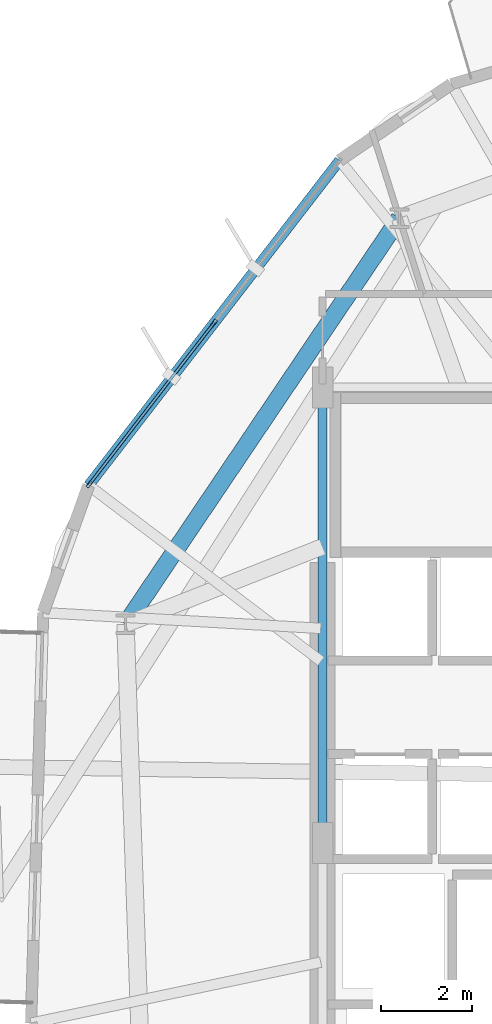
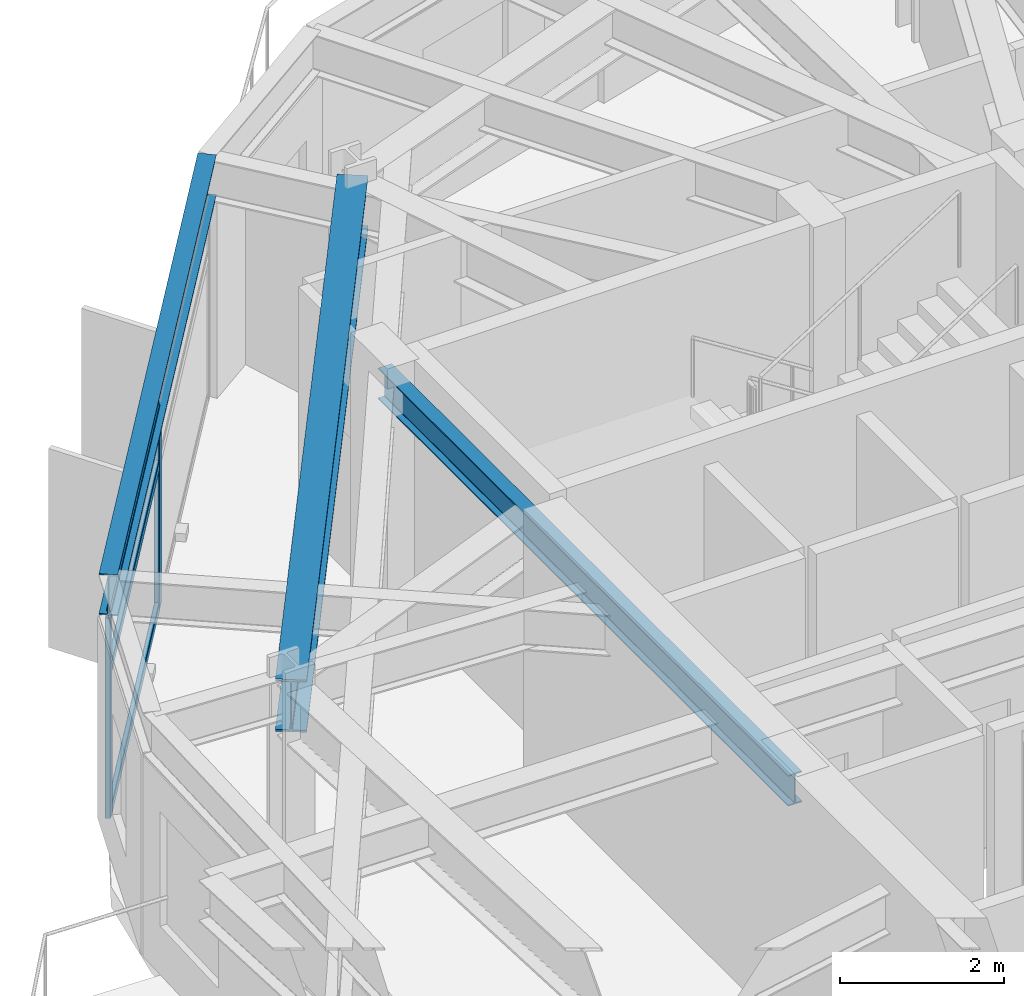
# One storey, part 6 of 24: 5 members, 3 beams, 1 element without a shape of its own.
"""IFC4 building model written with IfcOpenShell, lengths in metres."""

from ifc_helpers import new_model, si_unit, direction, frame, origin, origin_2d, place, context, subcontext, project, spatial, hollow_rectangle, i_section, extrude, material, layer, layer_set, material_profile, profile_set, type_object, element, aggregate, save


model = new_model("IFC4")

# Units and contexts
model_context = context("Model", 3, precision=1e-05, world=origin(), true_north=direction((0.0, 1.0)))
body_context = subcontext(model_context, "Body", "Model", "MODEL_VIEW")
ifc_project = project(units=[si_unit("LENGTHUNIT", "METRE"), si_unit("AREAUNIT", "SQUARE_METRE"), si_unit("VOLUMEUNIT", "CUBIC_METRE"), si_unit("PLANEANGLEUNIT", "RADIAN"), si_unit("MASSUNIT", "GRAM", prefix="KILO")], contexts=[model_context])

# Site, building, storey
site_placement = place(None, origin())
site = spatial("IfcSite", under=ifc_project, at=site_placement, CompositionType="ELEMENT")
building_placement = place(site_placement, origin())
building = spatial("IfcBuilding", under=site, at=building_placement, Name="Soratama Intermodal Tower", CompositionType="ELEMENT")
storey_placement = place(building_placement, frame((0.0, 0.0, 91.300048828125)))
storey = spatial("IfcBuildingStorey", under=building, at=storey_placement, Name="L21", CompositionType="ELEMENT", Elevation=91.300048828125)

# Beams
ifc_material_1 = material(Name="Structural steel ASTM A992 Grade 50", Category="steel")
ifc_material_profile_1 = material_profile(ifc_material_1, i_section(OverallWidth=0.19091796875, OverallDepth=0.4599609375, WebThickness=0.010009765625, FlangeThickness=0.01611328125, FilletRadius=0.010986328125, at=origin_2d()), Name="W18X55")
ifc_profile_set_1 = profile_set([ifc_material_profile_1], Name="Structural steel ASTM A992 Grade 50")
beam_type_1 = type_object("IfcBeamType", Name="BM-FLR-W18X55", PredefinedType="BEAM", material=ifc_profile_set_1)
beam_1_placement = place(storey_placement, frame((32.60009765625, 35.0, 3.369873046875), z_axis=(0.0, -1.0, 0.0), x_axis=(1.0, 0.0, 0.0)))
element("IfcBeam", 1, at=beam_1_placement, inside=storey, type_object=beam_type_1, Name="BM-L21-CRING-08", PredefinedType="BEAM", context=body_context, shape_type="SweptSolid", body=[
    extrude(i_section(OverallWidth=0.19091796875, OverallDepth=0.4599609375, WebThickness=0.010009765625, FlangeThickness=0.01611328125, FilletRadius=0.010986328125, at=origin_2d()), origin(), (0.0, 0.0, 1.0), 10.0),
])
ifc_material_2 = material(Name="Structural steel ASTM A992 Grade 50", Category="steel")
ifc_material_profile_2 = material_profile(ifc_material_2, i_section(OverallWidth=0.382080078125, OverallDepth=0.779052734375, WebThickness=0.01806640625, FlangeThickness=0.030029296875, FilletRadius=0.01806640625, at=origin_2d()), Name="W30X191")
ifc_profile_set_2 = profile_set([ifc_material_profile_2], Name="Structural steel ASTM A992 Grade 50")
beam_type_2 = type_object("IfcBeamType", Name="BM-RING-W30X191", PredefinedType="BEAM", material=ifc_profile_set_2)
beam_2_placement = place(storey_placement, frame((34.2880859375, 38.7109375, 3.21044921875), z_axis=(-0.559249807749, -0.828999187293, 0.0), x_axis=(0.828999187293, -0.559249807749, 0.0)))
element("IfcBeam", 2, at=beam_2_placement, inside=storey, type_object=beam_type_2, Name="BM-L21-RING-04", PredefinedType="BEAM", context=body_context, shape_type="SweptSolid", body=[
    extrude(i_section(OverallWidth=0.382080078125, OverallDepth=0.779052734375, WebThickness=0.01806640625, FlangeThickness=0.030029296875, FilletRadius=0.01806640625, at=origin_2d()), origin(), (0.0, 0.0, 1.0), 10.75390625),
])
ifc_material_3 = material(Name="Structural steel ASTM A992 Grade 50", Category="steel")
ifc_material_profile_3 = material_profile(ifc_material_3, i_section(OverallWidth=0.22900390625, OverallDepth=0.612060546875, WebThickness=0.011962890625, FlangeThickness=0.01953125, FilletRadius=0.012939453125, at=origin_2d()), Name="W24X84")
ifc_profile_set_3 = profile_set([ifc_material_profile_3], Name="Structural steel ASTM A992 Grade 50")
beam_type_3 = type_object("IfcBeamType", Name="BM-SPN-W24X84", PredefinedType="SPANDREL", material=ifc_profile_set_3)
beam_3_placement = place(storey_placement, frame((32.97509765625, 39.98291015625, 3.2939453125), z_axis=(-0.611226301273, -0.791455879144, 0.0), x_axis=(0.791455879144, -0.611226301273, 0.0)))
element("IfcBeam", 3, at=beam_3_placement, inside=storey, type_object=beam_type_3, Name="BS-L21-F04", PredefinedType="SPANDREL", context=body_context, shape_type="SweptSolid", body=[
    extrude(i_section(OverallWidth=0.22900390625, OverallDepth=0.612060546875, WebThickness=0.011962890625, FlangeThickness=0.01953125, FilletRadius=0.012939453125, at=origin_2d()), origin(), (0.0, 0.0, 1.0), 9.016357421875),
])

# Curtain wall, members
ifc_material_4 = material(Name="Double-glazed aluminium curtain wall", Category="aluminium")
ifc_layer = layer(ifc_material_4, 0.159912109375)
ifc_layer_set = layer_set([ifc_layer], Name="Double-glazed aluminium curtain wall")
curtain_wall_type = type_object("IfcCurtainWallType", Name="CW-SYS-3", PredefinedType="NOTDEFINED", material=ifc_layer_set)
curtain_wall_placement = place(storey_placement, origin())
curtain_wall = element("IfcCurtainWall", 4, at=curtain_wall_placement, inside=storey, type_object=curtain_wall_type, Name="L21 Faceted Curtain Wall F04", PredefinedType="NOTDEFINED")
ifc_material_5 = material(Name="Anodised aluminium AA 6063-T6", Category="aluminium")
ifc_material_profile_4 = material_profile(ifc_material_5, hollow_rectangle(XDim=0.070068359375, YDim=0.159912109375, WallThickness=0.0048828125, InnerFilletRadius=0.0048828125, OuterFilletRadius=0.010009765625, at=origin_2d()), Name="CWM160X70X5")
ifc_profile_set_4 = profile_set([ifc_material_profile_4], Name="Anodised aluminium AA 6063-T6")
member_type_1 = type_object("IfcMemberType", Name="MT-CWM-3", PredefinedType="MULLION", material=ifc_profile_set_4)
member_1_placement = place(storey_placement, frame((30.219482421875, 36.415283203125, 0.0), z_axis=(0.0, 0.0, 1.0), x_axis=(0.79143717295, -0.611250522513, 0.0)))
member_1 = element("IfcMember", 5, at=member_1_placement, type_object=member_type_1, Name="CW-3 mullion 2", PredefinedType="MULLION", context=body_context, shape_type="SweptSolid", body=[
    extrude(hollow_rectangle(XDim=0.070068359375, YDim=0.159912109375, WallThickness=0.0048828125, InnerFilletRadius=0.0048828125, OuterFilletRadius=0.010009765625, at=origin_2d()), origin(), (0.0, 0.0, 1.0), 2.97900390625),
])
member_2_placement = place(storey_placement, frame((27.482177734375, 32.87109375, 0.0), z_axis=(0.0, 0.0, 1.0), x_axis=(0.79143717295, -0.611250522513, 0.0)))
member_2 = element("IfcMember", 6, at=member_2_placement, type_object=member_type_1, Name="CW-3 mullion 3", PredefinedType="MULLION", context=body_context, shape_type="SweptSolid", body=[
    extrude(hollow_rectangle(XDim=0.070068359375, YDim=0.159912109375, WallThickness=0.0048828125, InnerFilletRadius=0.0048828125, OuterFilletRadius=0.010009765625, at=origin_2d()), origin(), (0.0, 0.0, 1.0), 2.97900390625),
])
ifc_material_6 = material(Name="Anodised aluminium AA 6063-T6", Category="aluminium")
ifc_material_profile_5 = material_profile(ifc_material_6, hollow_rectangle(XDim=0.06494140625, YDim=0.14990234375, WallThickness=0.0048828125, InnerFilletRadius=0.0048828125, OuterFilletRadius=0.010009765625, at=origin_2d()), Name="CWT150X65X5")
ifc_profile_set_5 = profile_set([ifc_material_profile_5], Name="Anodised aluminium AA 6063-T6")
member_type_2 = type_object("IfcMemberType", Name="TT-CWT-1", PredefinedType="USERDEFINED", material=ifc_profile_set_5)
member_3_placement = place(storey_placement, frame((30.201171875, 36.3916015625, 0.030029296875), z_axis=(-0.611247757471, -0.791439308467, 0.0), x_axis=(0.791439308467, -0.611247757471, 0.0)))
member_3 = element("IfcMember", 7, at=member_3_placement, type_object=member_type_2, Name="CW-3 transom 2.1", ObjectType="TRANSOM", PredefinedType="USERDEFINED", context=body_context, shape_type="SweptSolid", body=[
    extrude(hollow_rectangle(XDim=0.06494140625, YDim=0.14990234375, WallThickness=0.0048828125, InnerFilletRadius=0.0048828125, OuterFilletRadius=0.010009765625, at=origin_2d()), origin(), (0.0, 0.0, 1.0), 4.418212890625),
])
member_4_placement = place(storey_placement, frame((30.201171875, 36.3916015625, 2.14990234375), z_axis=(-0.611247757471, -0.791439308467, 0.0), x_axis=(0.791439308467, -0.611247757471, 0.0)))
member_4 = element("IfcMember", 8, at=member_4_placement, type_object=member_type_2, Name="CW-3 transom 2.2", ObjectType="TRANSOM", PredefinedType="USERDEFINED", context=body_context, shape_type="SweptSolid", body=[
    extrude(hollow_rectangle(XDim=0.06494140625, YDim=0.14990234375, WallThickness=0.0048828125, InnerFilletRadius=0.0048828125, OuterFilletRadius=0.010009765625, at=origin_2d()), origin(), (0.0, 0.0, 1.0), 4.418212890625),
])
member_5_placement = place(storey_placement, frame((30.201171875, 36.3916015625, 2.948974609375), z_axis=(-0.611247757471, -0.791439308467, 0.0), x_axis=(0.791439308467, -0.611247757471, 0.0)))
member_5 = element("IfcMember", 9, at=member_5_placement, type_object=member_type_2, Name="CW-3 transom 2.3", ObjectType="TRANSOM", PredefinedType="USERDEFINED", context=body_context, shape_type="SweptSolid", body=[
    extrude(hollow_rectangle(XDim=0.06494140625, YDim=0.14990234375, WallThickness=0.0048828125, InnerFilletRadius=0.0048828125, OuterFilletRadius=0.010009765625, at=origin_2d()), origin(), (0.0, 0.0, 1.0), 4.418212890625),
])
aggregate(curtain_wall, [member_1, member_2, member_3, member_4, member_5])

save(model, "model.ifc")
